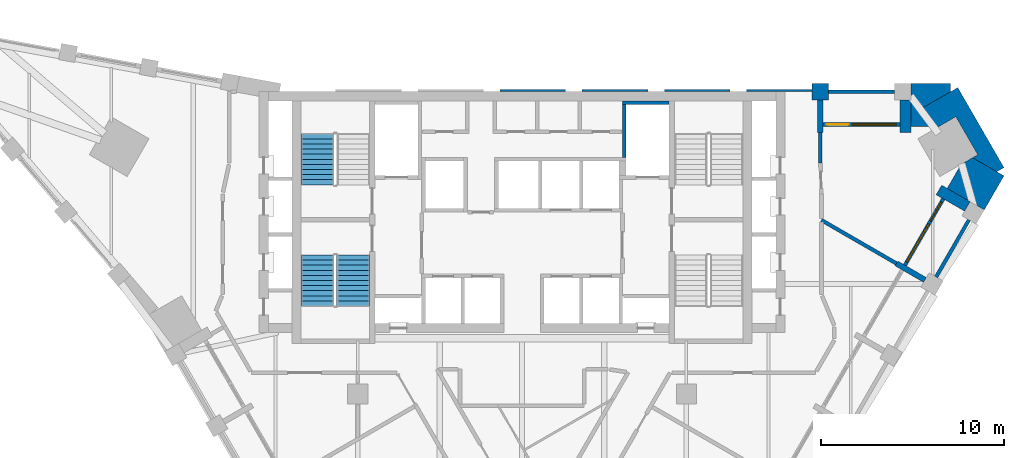
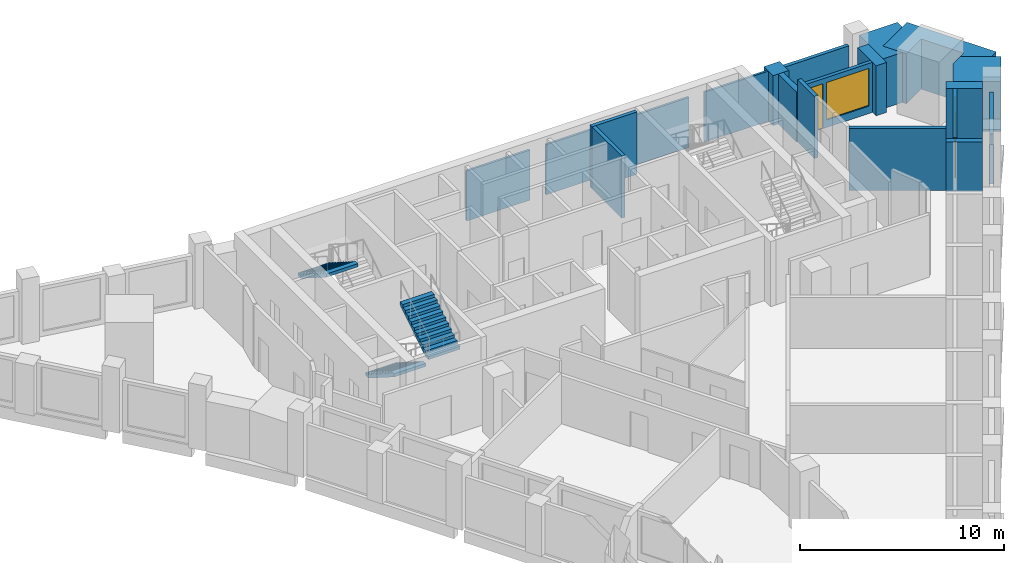
# One storey, part 7 of 9: 20 walls, 3 stair flights, 2 doors, 2 windows, 4 openings, 2 elements without a shape of their own.
"""IFC4 building model written with IfcOpenShell, lengths in metres."""

from ifc_helpers import new_model, si_unit, direction, frame, frame_2d, origin, place, context, subcontext, project, spatial, polyline, rectangle, outline, extrude, faceted_brep, source, transform, mapped, material, layer, layer_set, type_object, element, fill, aggregate, save


model = new_model("IFC4")

# Units and contexts
model_context = context("Model", 3, precision=1e-05, world=origin(), true_north=direction((0.0, 1.0)))
body_context = subcontext(model_context, "Body", "Model", "MODEL_VIEW")
ifc_project = project(units=[si_unit("LENGTHUNIT", "METRE"), si_unit("AREAUNIT", "SQUARE_METRE"), si_unit("VOLUMEUNIT", "CUBIC_METRE"), si_unit("PLANEANGLEUNIT", "RADIAN"), si_unit("MASSUNIT", "GRAM", prefix="KILO")], contexts=[model_context])

# Site, building, storey
site_placement = place(None, origin())
site = spatial("IfcSite", under=ifc_project, at=site_placement, CompositionType="ELEMENT")
building_placement = place(site_placement, origin())
building = spatial("IfcBuilding", under=site, at=building_placement, Name="Calabash Gate Tower", CompositionType="ELEMENT")
storey_placement = place(building_placement, frame((0.0, 0.0, 223.699951171875)))
storey = spatial("IfcBuildingStorey", under=building, at=storey_placement, Name="L53", CompositionType="ELEMENT", Elevation=223.699951171875)

# Walls
ifc_material_1 = material(Name="Terracotta brick masonry, exposed face", Category="masonry")
ifc_layer_1 = layer(ifc_material_1, 2.35009765625)
ifc_layer_set_1 = layer_set([ifc_layer_1], Name="Brick corner mass wall 2350")
wall_type_1 = type_object("IfcWallType", Name="Brick corner mass wall 2350", PredefinedType="SOLIDWALL", material=ifc_layer_set_1)
wall_1_placement = place(storey_placement, origin())
element("IfcWall", 1, at=wall_1_placement, inside=storey, type_object=wall_type_1, Name="Brick corner pier S15 3a", PredefinedType="SOLIDWALL", context=body_context, shape_type="SweptSolid", body=[
    extrude(outline(polyline([(23.288818359375, 13.752685546875), (25.323974609375, 12.57763671875), (26.400390625, 14.442138671875), (24.678466796875, 15.43603515625), (24.052001953125, 15.074462890625), (23.288818359375, 13.752685546875)])), origin(), (0.0, 0.0, 1.0), 3.0),
])
wall_2_placement = place(storey_placement, origin())
element("IfcWall", 2, at=wall_2_placement, inside=storey, type_object=wall_type_1, Name="Brick corner pier S15 3b", PredefinedType="SOLIDWALL", context=body_context, shape_type="SweptSolid", body=[
    extrude(outline(polyline([(23.76025390625, 17.67724609375), (24.960205078125, 15.598876953125), (24.678466796875, 15.43603515625), (26.0107421875, 14.6669921875), (26.400390625, 14.89208984375), (23.868408203125, 19.277587890625), (21.833251953125, 18.1025390625), (22.499267578125, 16.94921875), (23.76025390625, 17.67724609375)])), origin(), (0.0, 0.0, 1.0), 3.0),
])
wall_3_placement = place(storey_placement, origin())
element("IfcWall", 3, at=wall_3_placement, inside=storey, type_object=wall_type_1, Name="Brick corner pier S15 3c", PredefinedType="SOLIDWALL", context=body_context, shape_type="SweptSolid", body=[
    extrude(outline(polyline([(21.2939453125, 18.60302734375), (21.2939453125, 17.152587890625), (22.3818359375, 17.152587890625), (21.833251953125, 18.1025390625), (23.478759765625, 19.052490234375), (23.478759765625, 19.50244140625), (21.2939453125, 19.50244140625), (21.2939453125, 18.60302734375), (21.2939453125, 18.60302734375)])), origin(), (0.0, 0.0, 1.0), 3.0),
])
ifc_material_2 = material(Name="Terracotta brick masonry, exposed face", Category="masonry")
ifc_layer_2 = layer(ifc_material_2, 0.89990234375)
ifc_layer_set_2 = layer_set([ifc_layer_2], Name="Brick end wall 900")
wall_type_2 = type_object("IfcWallType", Name="Brick end wall 900", PredefinedType="SOLIDWALL", material=ifc_layer_set_2)
wall_4_placement = place(storey_placement, origin())
element("IfcWall", 4, at=wall_4_placement, inside=storey, type_object=wall_type_2, Name="Brick pier S15 N4.1", PredefinedType="SOLIDWALL", context=body_context, shape_type="SweptSolid", body=[
    extrude(outline(polyline([(16.7939453125, 19.50244140625), (15.893798828125, 19.50244140625), (15.893798828125, 18.6025390625), (16.7939453125, 18.6025390625), (16.7939453125, 19.50244140625)])), origin(), (0.0, 0.0, 1.0), 3.0),
])
ifc_material_3 = material(Name="Terracotta brick masonry, exposed face", Category="masonry")
ifc_layer_3 = layer(ifc_material_3, 0.300048828125)
ifc_layer_set_3 = layer_set([ifc_layer_3], Name="Brick loggia cheek wall 300")
wall_type_3 = type_object("IfcWallType", Name="Brick loggia cheek wall 300", PredefinedType="SOLIDWALL", material=ifc_layer_set_3)
wall_5_placement = place(storey_placement, frame((22.0693359375, 8.740966796875, 0.0), z_axis=(0.0, 0.0, 1.0), x_axis=(-0.866013897511, 0.50001992892, 0.0)))
element("IfcWall", 5, at=wall_5_placement, inside=storey, type_object=wall_type_3, Name="Loggia cheek S15 SE2.8", PredefinedType="SOLIDWALL", context=body_context, shape_type="SweptSolid", body=[
    extrude(rectangle(XDim=1.7998046875, YDim=0.300048828125, at=frame_2d((0.89990234375, 0.0))), origin(), (0.0, 0.0, 1.0), 2.9501953125),
])
wall_6_placement = place(storey_placement, frame((24.39453125, 12.767822265625, 0.0), z_axis=(0.0, 0.0, 1.0), x_axis=(-0.866047807691, 0.499961193289, 0.0)))
element("IfcWall", 6, at=wall_6_placement, inside=storey, type_object=wall_type_3, Name="Loggia cheek S15 SE2.9", PredefinedType="SOLIDWALL", context=body_context, shape_type="SweptSolid", body=[
    extrude(rectangle(XDim=1.800048828125, YDim=0.60009765625, at=frame_2d((0.89990234375, 0.0))), origin(), (0.0, 0.0, 1.0), 3.0),
])
wall_7_placement = place(storey_placement, origin())
element("IfcWall", 7, at=wall_7_placement, inside=storey, type_object=wall_type_3, Name="Loggia cheek S15 N4.0", PredefinedType="SOLIDWALL", context=body_context, shape_type="SweptSolid", body=[
    extrude(outline(polyline([(21.2939453125, 16.802490234375), (21.2939453125, 18.6025390625), (20.69384765625, 18.6025390625), (20.69384765625, 16.802490234375), (21.2939453125, 16.802490234375)])), origin(), (0.0, 0.0, 1.0), 3.0),
])
wall_8_placement = place(storey_placement, origin())
element("IfcWall", 8, at=wall_8_placement, inside=storey, type_object=wall_type_3, Name="Loggia cheek S15 N4.1", PredefinedType="SOLIDWALL", context=body_context, shape_type="SweptSolid", body=[
    extrude(outline(polyline([(16.19384765625, 18.6025390625), (16.19384765625, 16.802490234375), (16.493896484375, 16.802490234375), (16.493896484375, 18.6025390625), (16.19384765625, 18.6025390625)])), origin(), (0.0, 0.0, 1.0), 3.0),
])
ifc_material_4 = material(Name="Gypsum board on steel studs, mineral wool", Category="steel")
ifc_layer_4 = layer(ifc_material_4, 0.199951171875)
ifc_layer_set_4 = layer_set([ifc_layer_4], Name="Partition 200 gypsum board EI 60")
wall_type_4 = type_object("IfcWallType", Name="Partition 200 gypsum board EI 60", PredefinedType="PARTITIONING", material=ifc_layer_set_4)
wall_9_placement = place(storey_placement, frame((16.400634765625, 12.015869140625, 0.0), z_axis=(0.0, 0.0, 1.0), x_axis=(0.865862597781, -0.500281882306, 0.0)))
element("IfcWall", 9, at=wall_9_placement, inside=storey, type_object=wall_type_4, Name="Partition", PredefinedType="PARTITIONING", context=body_context, shape_type="SweptSolid", body=[
    extrude(rectangle(XDim=4.746826171875, YDim=0.199951171875, at=frame_2d((2.37353515625, 0.0))), origin(), (0.0, 0.0, 1.0), 3.72998046875),
])
wall_10_placement = place(storey_placement, frame((16.344482421875, 15.152587890625, 0.0), z_axis=(0.0, 0.0, 1.0), x_axis=(0.0, 1.0, 0.0)))
element("IfcWall", 10, at=wall_10_placement, inside=storey, type_object=wall_type_4, Name="Partition", PredefinedType="PARTITIONING", context=body_context, shape_type="SweptSolid", body=[
    extrude(rectangle(XDim=1.64990234375, YDim=0.199951171875, at=frame_2d((0.824951171875, 0.0))), origin(), (0.0, 0.0, 1.0), 3.72998046875),
])
ifc_material_5 = material(Name="Concrete C40/50", Category="concrete")
ifc_layer_5 = layer(ifc_material_5, 0.199951171875)
ifc_layer_set_5 = layer_set([ifc_layer_5], Name="Shaft wall 200 Concrete C40/50")
wall_type_5 = type_object("IfcWallType", Name="Shaft wall 200 Concrete C40/50", PredefinedType="SOLIDWALL", material=ifc_layer_set_5)
wall_11_placement = place(storey_placement, frame((5.60009765625, 15.45263671875, 0.0), z_axis=(0.0, 0.0, 1.0), x_axis=(0.0, 1.0, 0.0)))
element("IfcWall", 11, at=wall_11_placement, inside=storey, type_object=wall_type_5, Name="Shaft wall", PredefinedType="SOLIDWALL", context=body_context, shape_type="SweptSolid", body=[
    extrude(rectangle(XDim=2.89990234375, YDim=0.199951171875, at=frame_2d((1.449951171875, 0.0))), origin(), (0.0, 0.0, 1.0), 3.72998046875),
])
wall_12_placement = place(storey_placement, frame((5.5, 18.45263671875, 0.0), z_axis=(0.0, 0.0, 1.0), x_axis=(1.0, 0.0, 0.0)))
element("IfcWall", 12, at=wall_12_placement, inside=storey, type_object=wall_type_5, Name="Shaft wall", PredefinedType="SOLIDWALL", context=body_context, shape_type="SweptSolid", body=[
    extrude(rectangle(XDim=2.550048828125, YDim=0.199951171875, at=frame_2d((1.27490234375, 0.0))), origin(), (0.0, 0.0, 1.0), 3.72998046875),
])
ifc_material_6 = material(Name="Terracotta brick masonry, perforated", Category="masonry")
ifc_layer_6 = layer(ifc_material_6, 0.1201171875)
ifc_layer_set_6 = layer_set([ifc_layer_6], Name="Terracotta jaali cladding A 120")
wall_type_6 = type_object("IfcWallType", Name="Terracotta jaali cladding A 120", PredefinedType="SOLIDWALL", material=ifc_layer_set_6)
wall_13_placement = place(storey_placement, origin())
element("IfcWall", 13, at=wall_13_placement, inside=storey, type_object=wall_type_6, Name="Jaali cladding S15 N4.3", PredefinedType="SOLIDWALL", context=body_context, shape_type="SweptSolid", body=[
    extrude(outline(polyline([(7.7939453125, 19.172607421875), (7.7939453125, 19.052490234375), (11.393798828125, 19.052490234375), (11.393798828125, 19.172607421875), (7.7939453125, 19.172607421875)])), origin(), (0.0, 0.0, 1.0), 3.0),
])
wall_14_placement = place(storey_placement, origin())
element("IfcWall", 14, at=wall_14_placement, inside=storey, type_object=wall_type_6, Name="Jaali cladding S15 N4.5", PredefinedType="SOLIDWALL", context=body_context, shape_type="SweptSolid", body=[
    extrude(outline(polyline([(-1.2060546875, 19.172607421875), (-1.2060546875, 19.052490234375), (2.393798828125, 19.052490234375), (2.393798828125, 19.172607421875), (-1.2060546875, 19.172607421875)])), origin(), (0.0, 0.0, 1.0), 3.0),
])
ifc_material_7 = material(Name="Terracotta brick masonry, perforated", Category="masonry")
ifc_layer_7 = layer(ifc_material_7, 0.199951171875)
ifc_layer_set_7 = layer_set([ifc_layer_7], Name="Terracotta jaali screen A")
wall_type_7 = type_object("IfcWallType", Name="Terracotta jaali screen A", PredefinedType="SOLIDWALL", material=ifc_layer_set_7)
wall_15_placement = place(storey_placement, frame((22.684326171875, 8.905517578125, 0.0), z_axis=(0.0, 0.0, 1.0), x_axis=(0.500012057535, 0.866018442252, 0.0)))
element("IfcWall", 15, at=wall_15_placement, inside=storey, type_object=wall_type_7, Name="SCREEN A S15 SE2.9", PredefinedType="SOLIDWALL", context=body_context, shape_type="SweptSolid", body=[
    extrude(rectangle(XDim=3.60009765625, YDim=0.199951171875, at=frame_2d((1.800048828125, 0.0))), origin(), (0.0, 0.0, 1.0), 3.0),
])
wall_16_placement = place(storey_placement, frame((20.393798828125, 19.052490234375, 0.0), z_axis=(0.0, 0.0, 1.0), x_axis=(-1.0, 0.0, 0.0)))
element("IfcWall", 16, at=wall_16_placement, inside=storey, type_object=wall_type_7, Name="SCREEN A S15 N4.1", PredefinedType="SOLIDWALL", context=body_context, shape_type="SweptSolid", body=[
    extrude(rectangle(XDim=3.599853515625, YDim=0.199951171875, at=frame_2d((1.7998046875, 0.0))), origin(), (0.0, 0.0, 1.0), 3.0),
])
ifc_material_8 = material(Name="Terracotta louvre blades in an aluminium frame", Category="masonry")
ifc_layer_8 = layer(ifc_material_8, 0.1201171875)
ifc_layer_set_8 = layer_set([ifc_layer_8], Name="Terracotta vent louvre cladding 120")
wall_type_8 = type_object("IfcWallType", Name="Terracotta vent louvre cladding 120", PredefinedType="ELEMENTEDWALL", material=ifc_layer_set_8)
wall_17_placement = place(storey_placement, origin())
element("IfcWall", 17, at=wall_17_placement, inside=storey, type_object=wall_type_8, Name="Vent louvre cladding S15 N4.2", PredefinedType="ELEMENTEDWALL", context=body_context, shape_type="SweptSolid", body=[
    extrude(outline(polyline([(12.2939453125, 19.172607421875), (12.2939453125, 19.052490234375), (15.893310546875, 19.052490234375), (15.893310546875, 19.172607421875), (12.2939453125, 19.172607421875)])), origin(), (0.0, 0.0, 1.0), 3.0),
])
wall_18_placement = place(storey_placement, origin())
element("IfcWall", 18, at=wall_18_placement, inside=storey, type_object=wall_type_8, Name="Vent louvre cladding S15 N4.4", PredefinedType="ELEMENTEDWALL", context=body_context, shape_type="SweptSolid", body=[
    extrude(outline(polyline([(3.2939453125, 19.172607421875), (3.2939453125, 19.052490234375), (6.893798828125, 19.052490234375), (6.893798828125, 19.172607421875), (3.2939453125, 19.172607421875)])), origin(), (0.0, 0.0, 1.0), 3.0),
])

# Wall, openings, door, window
ifc_material_9 = material(Name="Aluminium framed window wall with insulated spandrel", Category="aluminium")
ifc_layer_9 = layer(ifc_material_9, 0.199951171875)
ifc_layer_set_9 = layer_set([ifc_layer_9], Name="Window wall 200")
wall_type_9 = type_object("IfcWallType", Name="Window wall 200", PredefinedType="ELEMENTEDWALL", material=ifc_layer_set_9)
wall_19_placement = place(storey_placement, frame((20.975341796875, 9.545654296875, 0.0), z_axis=(0.0, 0.0, 1.0), x_axis=(0.500002543286, 0.866023935413, 0.0)))
wall_19 = element("IfcWall", 19, at=wall_19_placement, inside=storey, type_object=wall_type_9, Name="Window wall S15 SE2.9", PredefinedType="ELEMENTEDWALL", context=body_context, shape_type="SweptSolid", body=[
    extrude(rectangle(XDim=4.2001953125, YDim=0.199951171875, at=frame_2d((2.10009765625, 0.0))), origin(), (0.0, 0.0, 1.0), 3.0),
])
opening_1_placement = place(wall_19_placement, frame((0.199951171875, 0.0, 0.449951171875)))
opening_1 = element("IfcOpeningElement", 20, at=opening_1_placement, cuts=wall_19, Name="Opening OW1", PredefinedType="OPENING", context=body_context, shape_type="SweptSolid", body=[
    extrude(rectangle(XDim=2.39990234375, YDim=2.25, at=frame_2d((1.199951171875, 1.125))), frame((0.0, 0.10986328125, 0.0), z_axis=(0.0, -1.0, 0.0), x_axis=(1.0, 0.0, 0.0)), (0.0, 0.0, 1.0), 0.219970703125),
])
opening_2_placement = place(wall_19_placement, frame((2.800048828125, 0.0, 0.0)))
opening_2 = element("IfcOpeningElement", 21, at=opening_2_placement, cuts=wall_19, Name="Opening O7-024", PredefinedType="OPENING", context=body_context, shape_type="SweptSolid", body=[
    extrude(rectangle(XDim=1.199951171875, YDim=2.699951171875, at=frame_2d((0.60009765625, 1.35009765625))), frame((0.0, 0.10986328125, 0.0), z_axis=(0.0, -1.0, 0.0), x_axis=(1.0, 0.0, 0.0)), (0.0, 0.0, 1.0), 0.219970703125),
])
ifc_material_10 = material(Name="Anodised aluminium frame, bronze finish, impact-rated laminated clear glazing", Category="aluminium")
door_type = type_object("IfcDoorType", Name="Loggia door DO1 1200x2700", OperationType="SLIDING_TO_LEFT", PredefinedType="DOOR", material=ifc_material_10)
door_1_placement = place(opening_2_placement, origin())
door_1 = element("IfcDoor", 22, at=door_1_placement, inside=storey, type_object=door_type, Name="Loggia door S15 SE2.9", OperationType="SINGLE_SWING_LEFT", OverallHeight=2.699951171875, OverallWidth=1.199951171875, PredefinedType="DOOR", context=body_context, shape_type="SweptSolid", body=[
    extrude(rectangle(XDim=1.199951171875, YDim=2.699951171875, at=frame_2d((0.60009765625, 1.35009765625))), frame((0.0, 0.02490234375, 0.0), z_axis=(0.0, -1.0, 0.0), x_axis=(1.0, 0.0, 0.0)), (0.0, 0.0, 1.0), 0.050048828125),
])
fill(opening_2, door_1)
ifc_material_11 = material(Name="Anodised aluminium frame, bronze finish, impact-rated laminated clear glazing", Category="aluminium")
window_type = type_object("IfcWindowType", Name="Window OW1 2400x2250", PartitioningType="DOUBLE_PANEL_VERTICAL", PredefinedType="WINDOW", material=ifc_material_11)
window_1_placement = place(opening_1_placement, origin())
window_1 = element("IfcWindow", 23, at=window_1_placement, inside=storey, type_object=window_type, Name="Window OW1 S15 SE2.9", OverallHeight=2.25, OverallWidth=2.39990234375, PartitioningType="SINGLE_PANEL", PredefinedType="WINDOW", context=body_context, shape_type="SweptSolid", body=[
    extrude(rectangle(XDim=2.39990234375, YDim=2.25, at=frame_2d((1.199951171875, 1.125))), frame((0.0, 0.030029296875, 0.0), z_axis=(0.0, -1.0, 0.0), x_axis=(1.0, 0.0, 0.0)), (0.0, 0.0, 1.0), 0.06005859375),
])
fill(opening_1, window_1)

wall_20_placement = place(storey_placement, frame((20.69384765625, 17.25244140625, 0.0), z_axis=(0.0, 0.0, 1.0), x_axis=(-1.0, 0.0, 0.0)))
wall_20 = element("IfcWall", 24, at=wall_20_placement, inside=storey, type_object=wall_type_9, Name="Window wall S15 N4.1", PredefinedType="ELEMENTEDWALL", context=body_context, shape_type="SweptSolid", body=[
    extrude(rectangle(XDim=4.199951171875, YDim=0.199951171875, at=frame_2d((2.10009765625, 0.0))), origin(), (0.0, 0.0, 1.0), 3.0),
])
opening_3_placement = place(wall_20_placement, frame((0.199951171875, 0.0, 0.449951171875)))
opening_3 = element("IfcOpeningElement", 25, at=opening_3_placement, cuts=wall_20, Name="Opening OW1", PredefinedType="OPENING", context=body_context, shape_type="SweptSolid", body=[
    extrude(rectangle(XDim=2.39990234375, YDim=2.25, at=frame_2d((1.199951171875, 1.125))), frame((0.0, 0.10986328125, 0.0), z_axis=(0.0, -1.0, 0.0), x_axis=(1.0, 0.0, 0.0)), (0.0, 0.0, 1.0), 0.219970703125),
])
opening_4_placement = place(wall_20_placement, frame((2.800048828125, 0.0, 0.0)))
opening_4 = element("IfcOpeningElement", 26, at=opening_4_placement, cuts=wall_20, Name="Opening O7-022", PredefinedType="OPENING", context=body_context, shape_type="SweptSolid", body=[
    extrude(rectangle(XDim=1.199951171875, YDim=2.699951171875, at=frame_2d((0.60009765625, 1.35009765625))), frame((0.0, 0.10986328125, 0.0), z_axis=(0.0, -1.0, 0.0), x_axis=(1.0, 0.0, 0.0)), (0.0, 0.0, 1.0), 0.219970703125),
])
door_2_placement = place(opening_4_placement, origin())
door_2 = element("IfcDoor", 27, at=door_2_placement, inside=storey, type_object=door_type, Name="Loggia door S15 N4.1", OperationType="SINGLE_SWING_LEFT", OverallHeight=2.699951171875, OverallWidth=1.199951171875, PredefinedType="DOOR", context=body_context, shape_type="SweptSolid", body=[
    extrude(rectangle(XDim=1.199951171875, YDim=2.699951171875, at=frame_2d((0.60009765625, 1.35009765625))), frame((0.0, 0.02490234375, 0.0), z_axis=(0.0, -1.0, 0.0), x_axis=(1.0, 0.0, 0.0)), (0.0, 0.0, 1.0), 0.050048828125),
])
fill(opening_4, door_2)
window_2_placement = place(opening_3_placement, origin())
window_2 = element("IfcWindow", 28, at=window_2_placement, inside=storey, type_object=window_type, Name="Window OW1 S15 N4.1", OverallHeight=2.25, OverallWidth=2.39990234375, PartitioningType="SINGLE_PANEL", PredefinedType="WINDOW", context=body_context, shape_type="SweptSolid", body=[
    extrude(rectangle(XDim=2.39990234375, YDim=2.25, at=frame_2d((1.199951171875, 1.125))), frame((0.0, 0.030029296875, 0.0), z_axis=(0.0, -1.0, 0.0), x_axis=(1.0, 0.0, 0.0)), (0.0, 0.0, 1.0), 0.06005859375),
])
fill(opening_3, window_2)

# Stair, stair flight
ifc_material_12 = material(Name="Concrete C40/50", Category="concrete")
stair_type = type_object("IfcStairType", Name="Exit stair 22 risers of 177.3 mm", PredefinedType="HALF_TURN_STAIR", material=ifc_material_12)
stair_1_placement = place(storey_placement, origin())
stair_1 = element("IfcStair", 29, at=stair_1_placement, inside=storey, type_object=stair_type, Name="L53 Exit stair ST1", PredefinedType="HALF_TURN_STAIR")
ifc_material_13 = material(Name="Concrete C40/50", Category="concrete")
stair_flight_type = type_object("IfcStairFlightType", Name="Exit stair flight SFL", PredefinedType="STRAIGHT", material=ifc_material_13)
shared_shape = source(origin(), body_context, "Body", "Brep", [
    faceted_brep([(-0.0009765625, -0.89990234375, 0.0), (0.279541015625, -0.89990234375, 0.0), (2.791015625, -0.89990234375, 1.59521484375), (-0.0009765625, 0.89990234375, 0.0), (2.791015625, 0.89990234375, 1.59521484375), (0.279541015625, 0.89990234375, 0.0), (2.791015625, -0.89990234375, 1.78466796875), (2.7900390625, -0.89990234375, 1.78466796875), (2.7900390625, 0.89990234375, 1.78466796875), (2.791015625, 0.89990234375, 1.78466796875), (2.7900390625, -0.89990234375, 1.772705078125), (2.7900390625, 0.89990234375, 1.772705078125), (2.510986328125, -0.89990234375, 1.772705078125), (2.510986328125, 0.89990234375, 1.772705078125), (2.510986328125, -0.89990234375, 1.595458984375), (2.510986328125, 0.89990234375, 1.595458984375), (2.23193359375, -0.89990234375, 1.595458984375), (2.23193359375, 0.89990234375, 1.595458984375), (2.23193359375, -0.89990234375, 1.418212890625), (2.23193359375, 0.89990234375, 1.418212890625), (1.952880859375, -0.89990234375, 1.418212890625), (1.952880859375, -0.89990234375, 1.240966796875), (1.952880859375, 0.89990234375, 1.240966796875), (1.952880859375, 0.89990234375, 1.418212890625), (1.674072265625, -0.89990234375, 1.240966796875), (1.674072265625, -0.89990234375, 1.063720703125), (1.674072265625, 0.89990234375, 1.063720703125), (1.674072265625, 0.89990234375, 1.240966796875), (1.39501953125, -0.89990234375, 1.063720703125), (1.39501953125, -0.89990234375, 0.886474609375), (1.39501953125, 0.89990234375, 0.886474609375), (1.39501953125, 0.89990234375, 1.063720703125), (1.115966796875, -0.89990234375, 0.886474609375), (1.115966796875, -0.89990234375, 0.708984375), (1.115966796875, 0.89990234375, 0.708984375), (1.115966796875, 0.89990234375, 0.886474609375), (0.8369140625, -0.89990234375, 0.708984375), (0.8369140625, -0.89990234375, 0.53173828125), (0.8369140625, 0.89990234375, 0.53173828125), (0.8369140625, 0.89990234375, 0.708984375), (0.55810546875, -0.89990234375, 0.53173828125), (0.55810546875, -0.89990234375, 0.3544921875), (0.55810546875, 0.89990234375, 0.3544921875), (0.55810546875, 0.89990234375, 0.53173828125), (0.279052734375, -0.89990234375, 0.3544921875), (0.279052734375, -0.89990234375, 0.17724609375), (0.279052734375, 0.89990234375, 0.17724609375), (0.279052734375, 0.89990234375, 0.3544921875), (-0.0009765625, -0.89990234375, 0.17724609375), (-0.0009765625, 0.89990234375, 0.17724609375), (0.279541015625, -0.360107421875, 0.0), (2.791015625, -0.360107421875, 1.59521484375), (0.279541015625, 0.0, 0.0), (2.791015625, 0.0, 1.59521484375), (0.279541015625, 0.360107421875, 0.0), (2.791015625, 0.360107421875, 1.59521484375), (2.791015625, -0.360107421875, 1.78466796875), (2.791015625, 0.0, 1.78466796875), (2.791015625, 0.360107421875, 1.78466796875), (2.7900390625, -0.360107421875, 1.78466796875), (2.7900390625, 0.0, 1.78466796875), (2.7900390625, 0.360107421875, 1.78466796875), (2.7900390625, -0.360107421875, 1.772705078125), (2.7900390625, 0.0, 1.772705078125), (2.7900390625, 0.360107421875, 1.772705078125), (2.510986328125, -0.360107421875, 1.772705078125), (2.510986328125, 0.0, 1.772705078125), (2.510986328125, 0.360107421875, 1.772705078125), (2.510986328125, -0.360107421875, 1.595458984375), (2.510986328125, 0.0, 1.595458984375), (2.510986328125, 0.360107421875, 1.595458984375), (2.23193359375, -0.360107421875, 1.595458984375), (2.23193359375, 0.0, 1.595458984375), (2.23193359375, 0.360107421875, 1.595458984375), (2.23193359375, -0.360107421875, 1.418212890625), (2.23193359375, 0.0, 1.418212890625), (2.23193359375, 0.360107421875, 1.418212890625), (1.952880859375, -0.360107421875, 1.418212890625), (1.952880859375, 0.0, 1.418212890625), (1.952880859375, 0.360107421875, 1.418212890625), (1.952880859375, -0.360107421875, 1.240966796875), (1.952880859375, 0.0, 1.240966796875), (1.952880859375, 0.360107421875, 1.240966796875), (1.674072265625, -0.360107421875, 1.240966796875), (1.674072265625, 0.0, 1.240966796875), (1.674072265625, 0.360107421875, 1.240966796875), (1.674072265625, -0.360107421875, 1.063720703125), (1.674072265625, 0.0, 1.063720703125), (1.674072265625, 0.360107421875, 1.063720703125), (1.39501953125, -0.360107421875, 1.063720703125), (1.39501953125, 0.0, 1.063720703125), (1.39501953125, 0.360107421875, 1.063720703125), (1.39501953125, -0.360107421875, 0.886474609375), (1.39501953125, 0.0, 0.886474609375), (1.39501953125, 0.360107421875, 0.886474609375), (1.115966796875, -0.360107421875, 0.886474609375), (1.115966796875, 0.0, 0.886474609375), (1.115966796875, 0.360107421875, 0.886474609375), (1.115966796875, -0.360107421875, 0.708984375), (1.115966796875, 0.0, 0.708984375), (1.115966796875, 0.360107421875, 0.708984375), (0.8369140625, -0.360107421875, 0.708984375), (0.8369140625, 0.0, 0.708984375), (0.8369140625, 0.360107421875, 0.708984375), (0.8369140625, -0.360107421875, 0.53173828125), (0.8369140625, 0.0, 0.53173828125), (0.8369140625, 0.360107421875, 0.53173828125), (0.55810546875, -0.360107421875, 0.53173828125), (0.55810546875, 0.0, 0.53173828125), (0.55810546875, 0.360107421875, 0.53173828125), (0.55810546875, -0.360107421875, 0.3544921875), (0.55810546875, 0.0, 0.3544921875), (0.55810546875, 0.360107421875, 0.3544921875), (0.279052734375, -0.360107421875, 0.3544921875), (0.279052734375, 0.0, 0.3544921875), (0.279052734375, 0.360107421875, 0.3544921875), (0.279052734375, -0.360107421875, 0.17724609375), (0.279052734375, 0.0, 0.17724609375), (0.279052734375, 0.360107421875, 0.17724609375), (-0.0009765625, -0.360107421875, 0.17724609375), (-0.0009765625, 0.0, 0.17724609375), (-0.0009765625, 0.360107421875, 0.17724609375), (-0.0009765625, -0.360107421875, 0.0), (-0.0009765625, 0.0, 0.0), (-0.0009765625, 0.360107421875, 0.0)], [[[0, 1, 2]], [[3, 4, 5]], [[2, 6, 7]], [[4, 8, 9]], [[2, 7, 10]], [[4, 11, 8]], [[2, 10, 12]], [[4, 13, 11]], [[2, 12, 14]], [[4, 15, 13]], [[2, 14, 16]], [[4, 17, 15]], [[2, 16, 18]], [[4, 19, 17]], [[18, 20, 21]], [[19, 22, 23]], [[2, 18, 21]], [[4, 22, 19]], [[21, 24, 25]], [[22, 26, 27]], [[2, 21, 25]], [[4, 26, 22]], [[25, 28, 29]], [[26, 30, 31]], [[2, 25, 29]], [[4, 30, 26]], [[29, 32, 33]], [[30, 34, 35]], [[2, 29, 33]], [[4, 34, 30]], [[33, 36, 37]], [[34, 38, 39]], [[2, 33, 37]], [[4, 38, 34]], [[37, 40, 41]], [[38, 42, 43]], [[2, 37, 41]], [[4, 42, 38]], [[41, 44, 45]], [[42, 46, 47]], [[2, 41, 45]], [[4, 46, 42]], [[0, 2, 45]], [[3, 46, 4]], [[45, 48, 0]], [[46, 3, 49]], [[1, 50, 2]], [[50, 51, 2]], [[50, 52, 51]], [[52, 53, 51]], [[52, 54, 55]], [[52, 55, 53]], [[54, 5, 4]], [[54, 4, 55]], [[2, 51, 6]], [[51, 56, 6]], [[51, 53, 56]], [[53, 57, 56]], [[53, 55, 58]], [[53, 58, 57]], [[55, 4, 9]], [[55, 9, 58]], [[6, 56, 7]], [[56, 59, 7]], [[56, 57, 59]], [[57, 60, 59]], [[57, 58, 61]], [[57, 61, 60]], [[58, 9, 8]], [[58, 8, 61]], [[7, 59, 10]], [[59, 62, 10]], [[59, 60, 62]], [[60, 63, 62]], [[60, 61, 64]], [[60, 64, 63]], [[61, 8, 11]], [[61, 11, 64]], [[10, 62, 12]], [[62, 65, 12]], [[62, 63, 65]], [[63, 66, 65]], [[63, 64, 67]], [[63, 67, 66]], [[64, 11, 13]], [[64, 13, 67]], [[12, 65, 14]], [[65, 68, 14]], [[65, 66, 68]], [[66, 69, 68]], [[66, 67, 70]], [[66, 70, 69]], [[67, 13, 15]], [[67, 15, 70]], [[14, 68, 16]], [[68, 71, 16]], [[68, 69, 71]], [[69, 72, 71]], [[69, 70, 73]], [[69, 73, 72]], [[70, 15, 17]], [[70, 17, 73]], [[16, 71, 18]], [[71, 74, 18]], [[71, 72, 74]], [[72, 75, 74]], [[72, 73, 76]], [[72, 76, 75]], [[73, 17, 19]], [[73, 19, 76]], [[18, 74, 20]], [[74, 77, 20]], [[74, 75, 77]], [[75, 78, 77]], [[75, 76, 79]], [[75, 79, 78]], [[76, 19, 23]], [[76, 23, 79]], [[20, 77, 21]], [[77, 80, 21]], [[77, 78, 80]], [[78, 81, 80]], [[78, 79, 82]], [[78, 82, 81]], [[79, 23, 22]], [[79, 22, 82]], [[21, 80, 24]], [[80, 83, 24]], [[80, 81, 83]], [[81, 84, 83]], [[81, 82, 85]], [[81, 85, 84]], [[82, 22, 27]], [[82, 27, 85]], [[24, 83, 25]], [[83, 86, 25]], [[83, 84, 86]], [[84, 87, 86]], [[84, 85, 88]], [[84, 88, 87]], [[85, 27, 26]], [[85, 26, 88]], [[25, 86, 28]], [[86, 89, 28]], [[86, 87, 89]], [[87, 90, 89]], [[87, 88, 91]], [[87, 91, 90]], [[88, 26, 31]], [[88, 31, 91]], [[28, 89, 29]], [[89, 92, 29]], [[89, 90, 92]], [[90, 93, 92]], [[90, 91, 94]], [[90, 94, 93]], [[91, 31, 30]], [[91, 30, 94]], [[29, 92, 32]], [[92, 95, 32]], [[92, 93, 95]], [[93, 96, 95]], [[93, 94, 97]], [[93, 97, 96]], [[94, 30, 35]], [[94, 35, 97]], [[32, 95, 33]], [[95, 98, 33]], [[95, 96, 98]], [[96, 99, 98]], [[96, 97, 100]], [[96, 100, 99]], [[97, 35, 34]], [[97, 34, 100]], [[33, 98, 36]], [[98, 101, 36]], [[98, 99, 101]], [[99, 102, 101]], [[99, 100, 103]], [[99, 103, 102]], [[100, 34, 39]], [[100, 39, 103]], [[36, 101, 37]], [[101, 104, 37]], [[101, 102, 104]], [[102, 105, 104]], [[102, 103, 106]], [[102, 106, 105]], [[103, 39, 38]], [[103, 38, 106]], [[37, 104, 40]], [[104, 107, 40]], [[104, 105, 107]], [[105, 108, 107]], [[105, 106, 109]], [[105, 109, 108]], [[106, 38, 43]], [[106, 43, 109]], [[40, 107, 41]], [[107, 110, 41]], [[107, 108, 110]], [[108, 111, 110]], [[108, 109, 112]], [[108, 112, 111]], [[109, 43, 42]], [[109, 42, 112]], [[41, 110, 44]], [[110, 113, 44]], [[110, 111, 113]], [[111, 114, 113]], [[111, 112, 115]], [[111, 115, 114]], [[112, 42, 47]], [[112, 47, 115]], [[44, 113, 45]], [[113, 116, 45]], [[113, 114, 116]], [[114, 117, 116]], [[114, 115, 118]], [[114, 118, 117]], [[115, 47, 46]], [[115, 46, 118]], [[45, 116, 48]], [[116, 119, 48]], [[116, 117, 119]], [[117, 120, 119]], [[117, 118, 121]], [[117, 121, 120]], [[118, 46, 49]], [[118, 49, 121]], [[48, 119, 0]], [[119, 122, 0]], [[119, 120, 122]], [[120, 123, 122]], [[120, 121, 124]], [[120, 124, 123]], [[121, 49, 3]], [[121, 3, 124]], [[0, 122, 1]], [[122, 50, 1]], [[122, 123, 50]], [[123, 52, 50]], [[123, 124, 54]], [[123, 54, 52]], [[124, 3, 5]], [[124, 5, 54]]]),
])
stair_flight_1_placement = place(storey_placement, frame((-11.199951171875, 16.74267578125, 1.949951171875), z_axis=(0.0, 0.0, 1.0), x_axis=(0.0, -1.0, 0.0)))
stair_flight_1 = element("IfcStairFlight", 30, at=stair_flight_1_placement, type_object=stair_flight_type, Name="ST1 flight 2", NumberOfRisers=11, NumberOfTreads=10, PredefinedType="STRAIGHT", RiserHeight=0.177272727, TreadLength=0.279, context=body_context, shape_type="MappedRepresentation", body=[
    mapped(shared_shape, transform((0.0, 0.0, 0.0), scale=1.0)),
])
aggregate(stair_1, [stair_flight_1])

# Stair, stair flights
stair_2_placement = place(storey_placement, origin())
stair_2 = element("IfcStair", 31, at=stair_2_placement, inside=storey, type_object=stair_type, Name="L53 Exit stair ST2", PredefinedType="HALF_TURN_STAIR")
stair_flight_2_placement = place(storey_placement, frame((-11.199951171875, 10.1025390625, 0.0), z_axis=(0.0, 0.0, 1.0), x_axis=(0.0, -1.0, 0.0)))
stair_flight_2 = element("IfcStairFlight", 32, at=stair_flight_2_placement, type_object=stair_flight_type, Name="ST2 flight 1", NumberOfRisers=11, NumberOfTreads=10, PredefinedType="STRAIGHT", RiserHeight=0.177272727, TreadLength=0.279, context=body_context, shape_type="MappedRepresentation", body=[
    mapped(shared_shape, transform((0.0, 0.0, 0.0), scale=1.0)),
])
stair_flight_3_placement = place(storey_placement, frame((-9.25, 7.3125, 1.949951171875), z_axis=(0.0, 0.0, 1.0), x_axis=(0.0, 1.0, 0.0)))
stair_flight_3 = element("IfcStairFlight", 33, at=stair_flight_3_placement, type_object=stair_flight_type, Name="ST2 flight 2", NumberOfRisers=11, NumberOfTreads=10, PredefinedType="STRAIGHT", RiserHeight=0.177272727, TreadLength=0.279, context=body_context, shape_type="MappedRepresentation", body=[
    mapped(shared_shape, transform((0.0, 0.0, 0.0), scale=1.0)),
])
aggregate(stair_2, [stair_flight_2, stair_flight_3])

save(model, "model.ifc")
